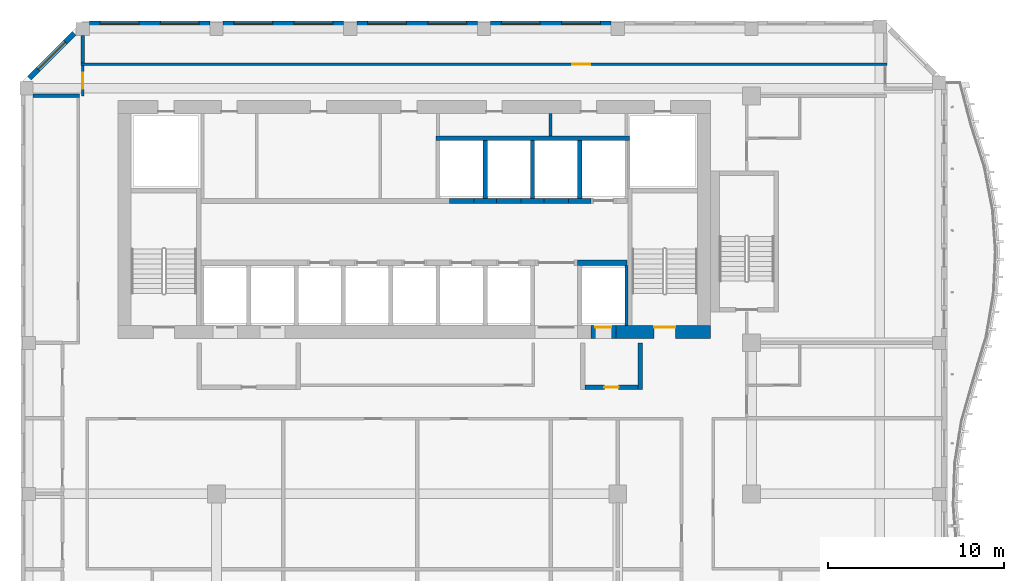
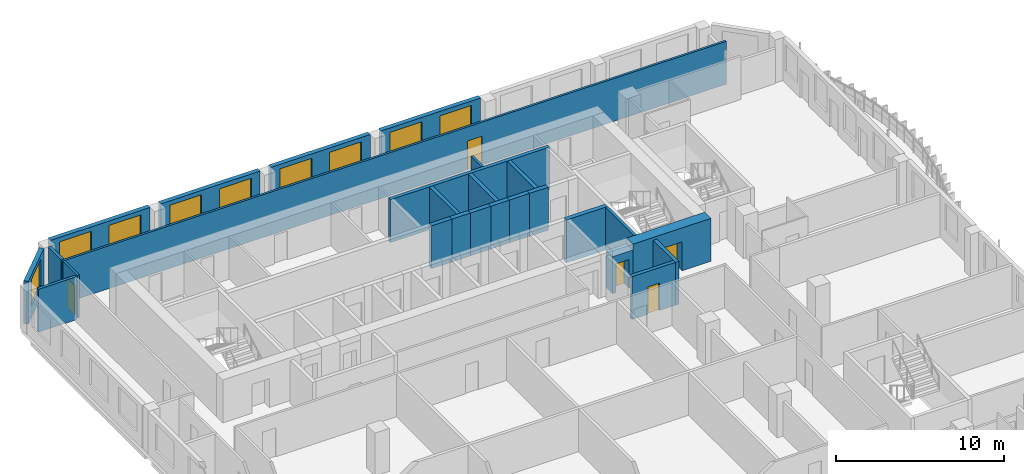
# One storey, part 8 of 21: 26 walls, 9 windows, 5 doors, 14 openings.
"""IFC4 building model written with IfcOpenShell, lengths in metres."""

from ifc_helpers import new_model, si_unit, direction, frame, frame_2d, origin, place, context, subcontext, project, spatial, rectangle, extrude, source, transform, mapped, material, layer, layer_set, type_object, element, fill, save


model = new_model("IFC4")

# Units and contexts
model_context = context("Model", 3, precision=1e-05, world=origin(), true_north=direction((0.0, 1.0)))
body_context = subcontext(model_context, "Body", "Model", "MODEL_VIEW")
ifc_project = project(units=[si_unit("LENGTHUNIT", "METRE"), si_unit("AREAUNIT", "SQUARE_METRE"), si_unit("VOLUMEUNIT", "CUBIC_METRE"), si_unit("PLANEANGLEUNIT", "RADIAN"), si_unit("MASSUNIT", "GRAM", prefix="KILO")], contexts=[model_context])

# Site, building, storey
site_placement = place(None, origin())
site = spatial("IfcSite", under=ifc_project, at=site_placement, CompositionType="ELEMENT")
building_placement = place(site_placement, origin())
building = spatial("IfcBuilding", under=site, at=building_placement, Name="Kilnfold Tower and Market Hall", CompositionType="ELEMENT")
storey_placement = place(building_placement, frame((0.0, 0.0, 216.89990234375)))
storey = spatial("IfcBuildingStorey", under=building, at=storey_placement, Name="L53", CompositionType="ELEMENT", Elevation=216.89990234375)

# Wall, opening, door
ifc_material_1 = material(Name="Gypsum board on steel studs", Category="steel")
ifc_layer_1 = layer(ifc_material_1, 0.14990234375)
ifc_layer_set_1 = layer_set([ifc_layer_1], Name="Gypsum board on steel studs")
wall_type_1 = type_object("IfcWallType", Name="WALL CORRIDOR 150", PredefinedType="PARTITIONING", material=ifc_layer_set_1)
wall_1_placement = place(storey_placement, frame((-17.75, 23.72509765625, 0.0), z_axis=(0.0, 0.0, 1.0), x_axis=(0.0, -1.0, 0.0)))
wall_1 = element("IfcWall", 1, at=wall_1_placement, inside=storey, type_object=wall_type_1, Name="Partition LY31.17", PredefinedType="PARTITIONING", context=body_context, shape_type="SweptSolid", body=[
    extrude(rectangle(XDim=1.72509765625, YDim=0.14990234375, at=frame_2d((0.862548828125, 0.0))), origin(), (0.0, 0.0, 1.0), 3.1201171875),
])
opening_1_placement = place(wall_1_placement, frame((0.4130859375, 0.0, 0.0)))
opening_1 = element("IfcOpeningElement", 2, at=opening_1_placement, cuts=wall_1, Name="Opening D2", PredefinedType="OPENING", context=body_context, shape_type="SweptSolid", body=[
    extrude(rectangle(XDim=0.89990234375, YDim=2.10009765625, at=frame_2d((0.449951171875, 1.050048828125))), frame((0.0, 0.0849609375, 0.0), z_axis=(0.0, -1.0, 0.0), x_axis=(1.0, 0.0, 0.0)), (0.0, 0.0, 1.0), 0.169921875),
])
ifc_material_2 = material(Name="Timber veneer door leaf in steel frame", Category="steel")
door_type_1 = type_object("IfcDoorType", Name="DOOR ROOM 900 X2100", OperationType="NOTDEFINED", PredefinedType="DOOR", material=ifc_material_2)
door_1_placement = place(opening_1_placement, origin())
door_1 = element("IfcDoor", 3, at=door_1_placement, inside=storey, type_object=door_type_1, Name="Door D2", OperationType="SINGLE_SWING_LEFT", OverallHeight=2.10009765625, OverallWidth=0.89990234375, PredefinedType="DOOR", context=body_context, shape_type="SweptSolid", body=[
    extrude(rectangle(XDim=0.89990234375, YDim=2.10009765625, at=frame_2d((0.449951171875, 1.050048828125))), frame((0.0, 0.02490234375, 0.0), z_axis=(0.0, -1.0, 0.0), x_axis=(1.0, 0.0, 0.0)), (0.0, 0.0, 1.0), 0.050048828125),
])
fill(opening_1, door_1)

wall_2_placement = place(storey_placement, frame((27.85009765625, 23.800048828125, 0.0), z_axis=(0.0, 0.0, 1.0), x_axis=(-1.0, 0.0, 0.0)))
wall_2 = element("IfcWall", 4, at=wall_2_placement, inside=storey, type_object=wall_type_1, Name="Partition LY31.31", PredefinedType="PARTITIONING", context=body_context, shape_type="SweptSolid", body=[
    extrude(rectangle(XDim=45.7001953125, YDim=0.14990234375, at=frame_2d((22.85009765625, 0.0))), origin(), (0.0, 0.0, 1.0), 3.1201171875),
])
opening_2_placement = place(wall_2_placement, frame((16.837890625, 0.0, 0.0)))
opening_2 = element("IfcOpeningElement", 5, at=opening_2_placement, cuts=wall_2, Name="Opening D4", PredefinedType="OPENING", context=body_context, shape_type="SweptSolid", body=[
    extrude(rectangle(XDim=1.0, YDim=2.10009765625, at=frame_2d((0.5, 1.050048828125))), frame((0.0, 0.0849609375, 0.0), z_axis=(0.0, -1.0, 0.0), x_axis=(1.0, 0.0, 0.0)), (0.0, 0.0, 1.0), 0.169921875),
])
ifc_material_3 = material(Name="Timber veneer door leaf in steel frame", Category="steel")
door_type_2 = type_object("IfcDoorType", Name="DOOR SERVICE 1000 X2100", OperationType="NOTDEFINED", PredefinedType="DOOR", material=ifc_material_3)
door_2_placement = place(opening_2_placement, origin())
door_2 = element("IfcDoor", 6, at=door_2_placement, inside=storey, type_object=door_type_2, Name="Door D4", OperationType="SINGLE_SWING_LEFT", OverallHeight=2.10009765625, OverallWidth=1.0, PredefinedType="DOOR", context=body_context, shape_type="SweptSolid", body=[
    extrude(rectangle(XDim=1.0, YDim=2.10009765625, at=frame_2d((0.5, 1.050048828125))), frame((0.0, 0.02490234375, 0.0), z_axis=(0.0, -1.0, 0.0), x_axis=(1.0, 0.0, 0.0)), (0.0, 0.0, 1.0), 0.050048828125),
])
fill(opening_2, door_2)

# Walls
ifc_material_4 = material(Name="Gypsum board on steel studs", Category="steel")
ifc_layer_2 = layer(ifc_material_4, 0.199951171875)
ifc_layer_set_2 = layer_set([ifc_layer_2], Name="Gypsum board on steel studs")
wall_type_2 = type_object("IfcWallType", Name="WALL PARTY 200", PredefinedType="PARTITIONING", material=ifc_layer_set_2)
wall_3_placement = place(storey_placement, frame((-17.927001953125, 22.0, 0.0), z_axis=(0.0, 0.0, 1.0), x_axis=(-1.0, 0.0, 0.0)))
element("IfcWall", 7, at=wall_3_placement, inside=storey, type_object=wall_type_2, Name="Partition LY31.78", PredefinedType="PARTITIONING", context=body_context, shape_type="SweptSolid", body=[
    extrude(rectangle(XDim=2.6298828125, YDim=0.199951171875, at=frame_2d((1.31494140625, 0.0))), origin(), (0.0, 0.0, 1.0), 3.1201171875),
])
wall_4_placement = place(storey_placement, frame((-17.75, 23.876953125, 0.0), z_axis=(0.0, 0.0, 1.0), x_axis=(0.0, 1.0, 0.0)))
element("IfcWall", 8, at=wall_4_placement, inside=storey, type_object=wall_type_2, Name="Partition LY31.84", PredefinedType="PARTITIONING", context=body_context, shape_type="SweptSolid", body=[
    extrude(rectangle(XDim=1.548095703125, YDim=0.199951171875, at=frame_2d((0.77392578125, 0.0))), origin(), (0.0, 0.0, 1.0), 3.1201171875),
])
ifc_material_5 = material(Name="Concrete C60", Category="concrete")
ifc_layer_3 = layer(ifc_material_5, 0.300048828125)
ifc_layer_set_3 = layer_set([ifc_layer_3], Name="Concrete C60")
wall_type_3 = type_object("IfcWallType", Name="CORE WALL 300 C60", PredefinedType="SHEAR", material=ifc_layer_set_3)
shared_shape_1 = source(origin(), body_context, "Body", "SweptSolid", [
    extrude(rectangle(XDim=1.280029296875, YDim=0.300048828125, at=frame_2d((0.64013671875, 0.0))), origin(), (0.0, 0.0, 1.0), 3.1201171875),
])
for number, where, z_axis, x_axis, name in (
    (9, (4.429931640625, 16.050048828125, 0.0), (0.0, 0.0, 1.0), (1.0, 0.0, 0.0), "Core spine wall"),
    (10, (9.7900390625, 16.050048828125, 0.0), (0.0, 0.0, 1.0), (1.0, 0.0, 0.0), "Core spine wall"),
):
    element("IfcWall", number, at=place(storey_placement, frame(where, z_axis=z_axis, x_axis=x_axis)), inside=storey, type_object=wall_type_3, Name=name, PredefinedType="SHEAR", context=body_context, shape_type="MappedRepresentation", body=[
        mapped(shared_shape_1, transform((0.0, 0.0, 0.0))),
    ])
shared_shape_2 = source(origin(), body_context, "Body", "SweptSolid", [
    extrude(rectangle(XDim=2.820068359375, YDim=0.300048828125, at=frame_2d((1.41015625, 0.0))), origin(), (0.0, 0.0, 1.0), 3.1201171875),
])
wall_5_placement = place(storey_placement, frame((10.2900390625, 12.550048828125, 0.0), z_axis=(0.0, 0.0, 1.0), x_axis=(1.0, 0.0, 0.0)))
element("IfcWall", 11, at=wall_5_placement, inside=storey, type_object=wall_type_3, Name="Core spine wall", PredefinedType="SHEAR", context=body_context, shape_type="MappedRepresentation", body=[
    mapped(shared_shape_2, transform((0.0, 0.0, 0.0))),
])
shared_shape_3 = source(origin(), body_context, "Body", "SweptSolid", [
    extrude(rectangle(XDim=1.27978515625, YDim=0.300048828125, at=frame_2d((0.639892578125, 0.0))), origin(), (0.0, 0.0, 1.0), 3.1201171875),
])
wall_6_placement = place(storey_placement, frame((7.110107421875, 16.050048828125, 0.0), z_axis=(0.0, 0.0, 1.0), x_axis=(1.0, 0.0, 0.0)))
element("IfcWall", 12, at=wall_6_placement, inside=storey, type_object=wall_type_3, Name="Core spine wall", PredefinedType="SHEAR", context=body_context, shape_type="MappedRepresentation", body=[
    mapped(shared_shape_3, transform((0.0, 0.0, 0.0))),
])

# Wall, opening, door
ifc_material_6 = material(Name="Concrete C60", Category="concrete")
ifc_layer_4 = layer(ifc_material_6, 0.75)
ifc_layer_set_4 = layer_set([ifc_layer_4], Name="Concrete C60")
wall_type_4 = type_object("IfcWallType", Name="CORE WALL 750 C60", PredefinedType="SHEAR", material=ifc_layer_set_4)
shared_shape_4 = source(origin(), body_context, "Body", "SweptSolid", [
    extrude(rectangle(XDim=5.380126953125, YDim=0.75, at=frame_2d((2.68994140625, 0.0))), origin(), (0.0, 0.0, 1.0), 3.1201171875),
])
wall_7_placement = place(storey_placement, frame((12.469970703125, 8.625, 0.0), z_axis=(0.0, 0.0, 1.0), x_axis=(1.0, 0.0, 0.0)))
wall_7 = element("IfcWall", 13, at=wall_7_placement, inside=storey, type_object=wall_type_4, Name="Core outer wall south", PredefinedType="SHEAR", context=body_context, shape_type="MappedRepresentation", body=[
    mapped(shared_shape_4, transform((0.0, 0.0, 0.0))),
])
opening_3_placement = place(wall_7_placement, frame((2.179931640625, 0.0, 0.0)))
opening_3 = element("IfcOpeningElement", 14, at=opening_3_placement, cuts=wall_7, Name="Opening SD1", PredefinedType="OPENING", context=body_context, shape_type="SweptSolid", body=[
    extrude(rectangle(XDim=1.199951171875, YDim=2.10009765625, at=frame_2d((0.60009765625, 1.050048828125))), frame((0.0, 0.385009765625, 0.0), z_axis=(0.0, -1.0, 0.0), x_axis=(1.0, 0.0, 0.0)), (0.0, 0.0, 1.0), 0.77001953125),
])
ifc_material_7 = material(Name="Steel door set with fire-resisting leaf", Category="steel")
door_type_3 = type_object("IfcDoorType", Name="STAIR FLOOR DOOR 1200X2100", OperationType="NOTDEFINED", PredefinedType="DOOR", material=ifc_material_7)
door_3_placement = place(opening_3_placement, origin())
door_3 = element("IfcDoor", 15, at=door_3_placement, inside=storey, type_object=door_type_3, Name="Exit stair ST2 door", OperationType="DOUBLE_DOOR_SINGLE_SWING", OverallHeight=2.10009765625, OverallWidth=1.199951171875, PredefinedType="DOOR", context=body_context, shape_type="SweptSolid", body=[
    extrude(rectangle(XDim=1.199951171875, YDim=2.10009765625, at=frame_2d((0.60009765625, 1.050048828125))), frame((0.0, 0.27978515625, 0.0), z_axis=(0.0, -1.0, 0.0), x_axis=(1.0, 0.0, 0.0)), (0.0, 0.0, 1.0), 0.050048828125),
])
fill(opening_3, door_3)

# Wall, openings, windows
ifc_material_8 = material(Name="Precast concrete C50/60", Category="concrete")
ifc_layer_5 = layer(ifc_material_8, 0.300048828125)
ifc_layer_set_5 = layer_set([ifc_layer_5], Name="Precast concrete C50/60")
wall_type_5 = type_object("IfcWallType", Name="PRECAST WALL 300", PredefinedType="SOLIDWALL", material=ifc_layer_set_5)
shared_shape_5 = source(origin(), body_context, "Body", "SweptSolid", [
    extrude(rectangle(XDim=6.833251953125, YDim=0.300048828125, at=frame_2d((3.41650390625, 0.0))), origin(), (0.0, 0.0, 1.0), 3.1201171875),
])
wall_8_placement = place(storey_placement, frame((12.208251953125, 26.10009765625, 0.0), z_axis=(0.0, 0.0, 1.0), x_axis=(-1.0, 0.0, 0.0)))
wall_8 = element("IfcWall", 16, at=wall_8_placement, inside=storey, type_object=wall_type_5, Name="External wall L53 N", PredefinedType="SOLIDWALL", context=body_context, shape_type="MappedRepresentation", body=[
    mapped(shared_shape_5, transform((0.0, 0.0, 0.0))),
])
opening_4_placement = place(wall_8_placement, frame((0.6083984375, 0.0, 0.85009765625)))
opening_4 = element("IfcOpeningElement", 17, at=opening_4_placement, cuts=wall_8, Name="Opening W2", PredefinedType="OPENING", context=body_context, shape_type="SweptSolid", body=[
    extrude(rectangle(XDim=2.199951171875, YDim=1.949951171875, at=frame_2d((1.10009765625, 0.97509765625))), frame((0.0, 0.16015625, 0.0), z_axis=(0.0, -1.0, 0.0), x_axis=(1.0, 0.0, 0.0)), (0.0, 0.0, 1.0), 0.320068359375),
])
opening_5_placement = place(wall_8_placement, frame((4.02490234375, 0.0, 0.85009765625)))
opening_5 = element("IfcOpeningElement", 18, at=opening_5_placement, cuts=wall_8, Name="Opening W2", PredefinedType="OPENING", context=body_context, shape_type="SweptSolid", body=[
    extrude(rectangle(XDim=2.199951171875, YDim=1.949951171875, at=frame_2d((1.10009765625, 0.97509765625))), frame((0.0, 0.16015625, 0.0), z_axis=(0.0, -1.0, 0.0), x_axis=(1.0, 0.0, 0.0)), (0.0, 0.0, 1.0), 0.320068359375),
])
ifc_material_9 = material(Name="Aluminium frame and double glazing", Category="aluminium")
window_type = type_object("IfcWindowType", Name="WINDOW W2 2200X1950", PartitioningType="SINGLE_PANEL", PredefinedType="WINDOW", material=ifc_material_9)
window_1_placement = place(opening_4_placement, origin())
window_1 = element("IfcWindow", 19, at=window_1_placement, inside=storey, type_object=window_type, Name="Window W2 L53 N-1", OverallHeight=1.949951171875, OverallWidth=2.199951171875, PartitioningType="SINGLE_PANEL", PredefinedType="WINDOW", context=body_context, shape_type="SweptSolid", body=[
    extrude(rectangle(XDim=2.199951171875, YDim=1.949951171875, at=frame_2d((1.10009765625, 0.97509765625))), frame((0.0, 0.030029296875, 0.0), z_axis=(0.0, -1.0, 0.0), x_axis=(1.0, 0.0, 0.0)), (0.0, 0.0, 1.0), 0.06005859375),
])
fill(opening_4, window_1)
window_2_placement = place(opening_5_placement, origin())
window_2 = element("IfcWindow", 20, at=window_2_placement, inside=storey, type_object=window_type, Name="Window W2 L53 N-2", OverallHeight=1.949951171875, OverallWidth=2.199951171875, PartitioningType="SINGLE_PANEL", PredefinedType="WINDOW", context=body_context, shape_type="SweptSolid", body=[
    extrude(rectangle(XDim=2.199951171875, YDim=1.949951171875, at=frame_2d((1.10009765625, 0.97509765625))), frame((0.0, 0.030029296875, 0.0), z_axis=(0.0, -1.0, 0.0), x_axis=(1.0, 0.0, 0.0)), (0.0, 0.0, 1.0), 0.06005859375),
])
fill(opening_5, window_2)

wall_9_placement = place(storey_placement, frame((4.625, 26.10009765625, 0.0), z_axis=(0.0, 0.0, 1.0), x_axis=(-1.0, 0.0, 0.0)))
wall_9 = element("IfcWall", 21, at=wall_9_placement, inside=storey, type_object=wall_type_5, Name="External wall L53 N", PredefinedType="SOLIDWALL", context=body_context, shape_type="MappedRepresentation", body=[
    mapped(shared_shape_5, transform((0.0, 0.0, 0.0))),
])
opening_6_placement = place(wall_9_placement, frame((0.6083984375, 0.0, 0.85009765625)))
opening_6 = element("IfcOpeningElement", 22, at=opening_6_placement, cuts=wall_9, Name="Opening W2", PredefinedType="OPENING", context=body_context, shape_type="SweptSolid", body=[
    extrude(rectangle(XDim=2.199951171875, YDim=1.949951171875, at=frame_2d((1.10009765625, 0.97509765625))), frame((0.0, 0.16015625, 0.0), z_axis=(0.0, -1.0, 0.0), x_axis=(1.0, 0.0, 0.0)), (0.0, 0.0, 1.0), 0.320068359375),
])
opening_7_placement = place(wall_9_placement, frame((4.02490234375, 0.0, 0.85009765625)))
opening_7 = element("IfcOpeningElement", 23, at=opening_7_placement, cuts=wall_9, Name="Opening W2", PredefinedType="OPENING", context=body_context, shape_type="SweptSolid", body=[
    extrude(rectangle(XDim=2.199951171875, YDim=1.949951171875, at=frame_2d((1.10009765625, 0.97509765625))), frame((0.0, 0.16015625, 0.0), z_axis=(0.0, -1.0, 0.0), x_axis=(1.0, 0.0, 0.0)), (0.0, 0.0, 1.0), 0.320068359375),
])
window_3_placement = place(opening_6_placement, origin())
window_3 = element("IfcWindow", 24, at=window_3_placement, inside=storey, type_object=window_type, Name="Window W2 L53 N-1", OverallHeight=1.949951171875, OverallWidth=2.199951171875, PartitioningType="SINGLE_PANEL", PredefinedType="WINDOW", context=body_context, shape_type="SweptSolid", body=[
    extrude(rectangle(XDim=2.199951171875, YDim=1.949951171875, at=frame_2d((1.10009765625, 0.97509765625))), frame((0.0, 0.030029296875, 0.0), z_axis=(0.0, -1.0, 0.0), x_axis=(1.0, 0.0, 0.0)), (0.0, 0.0, 1.0), 0.06005859375),
])
fill(opening_6, window_3)
window_4_placement = place(opening_7_placement, origin())
window_4 = element("IfcWindow", 25, at=window_4_placement, inside=storey, type_object=window_type, Name="Window W2 L53 N-2", OverallHeight=1.949951171875, OverallWidth=2.199951171875, PartitioningType="SINGLE_PANEL", PredefinedType="WINDOW", context=body_context, shape_type="SweptSolid", body=[
    extrude(rectangle(XDim=2.199951171875, YDim=1.949951171875, at=frame_2d((1.10009765625, 0.97509765625))), frame((0.0, 0.030029296875, 0.0), z_axis=(0.0, -1.0, 0.0), x_axis=(1.0, 0.0, 0.0)), (0.0, 0.0, 1.0), 0.06005859375),
])
fill(opening_7, window_4)

wall_10_placement = place(storey_placement, frame((-10.541748046875, 26.10009765625, 0.0), z_axis=(0.0, 0.0, 1.0), x_axis=(-1.0, 0.0, 0.0)))
wall_10 = element("IfcWall", 26, at=wall_10_placement, inside=storey, type_object=wall_type_5, Name="External wall L53 N", PredefinedType="SOLIDWALL", context=body_context, shape_type="MappedRepresentation", body=[
    mapped(shared_shape_5, transform((0.0, 0.0, 0.0))),
])
opening_8_placement = place(wall_10_placement, frame((0.6083984375, 0.0, 0.85009765625)))
opening_8 = element("IfcOpeningElement", 27, at=opening_8_placement, cuts=wall_10, Name="Opening W2", PredefinedType="OPENING", context=body_context, shape_type="SweptSolid", body=[
    extrude(rectangle(XDim=2.199951171875, YDim=1.949951171875, at=frame_2d((1.10009765625, 0.97509765625))), frame((0.0, 0.16015625, 0.0), z_axis=(0.0, -1.0, 0.0), x_axis=(1.0, 0.0, 0.0)), (0.0, 0.0, 1.0), 0.320068359375),
])
opening_9_placement = place(wall_10_placement, frame((4.02490234375, 0.0, 0.85009765625)))
opening_9 = element("IfcOpeningElement", 28, at=opening_9_placement, cuts=wall_10, Name="Opening W2", PredefinedType="OPENING", context=body_context, shape_type="SweptSolid", body=[
    extrude(rectangle(XDim=2.199951171875, YDim=1.949951171875, at=frame_2d((1.10009765625, 0.97509765625))), frame((0.0, 0.16015625, 0.0), z_axis=(0.0, -1.0, 0.0), x_axis=(1.0, 0.0, 0.0)), (0.0, 0.0, 1.0), 0.320068359375),
])
window_5_placement = place(opening_8_placement, origin())
window_5 = element("IfcWindow", 29, at=window_5_placement, inside=storey, type_object=window_type, Name="Window W2 L53 N-1", OverallHeight=1.949951171875, OverallWidth=2.199951171875, PartitioningType="SINGLE_PANEL", PredefinedType="WINDOW", context=body_context, shape_type="SweptSolid", body=[
    extrude(rectangle(XDim=2.199951171875, YDim=1.949951171875, at=frame_2d((1.10009765625, 0.97509765625))), frame((0.0, 0.030029296875, 0.0), z_axis=(0.0, -1.0, 0.0), x_axis=(1.0, 0.0, 0.0)), (0.0, 0.0, 1.0), 0.06005859375),
])
fill(opening_8, window_5)
window_6_placement = place(opening_9_placement, origin())
window_6 = element("IfcWindow", 30, at=window_6_placement, inside=storey, type_object=window_type, Name="Window W2 L53 N-2", OverallHeight=1.949951171875, OverallWidth=2.199951171875, PartitioningType="SINGLE_PANEL", PredefinedType="WINDOW", context=body_context, shape_type="SweptSolid", body=[
    extrude(rectangle(XDim=2.199951171875, YDim=1.949951171875, at=frame_2d((1.10009765625, 0.97509765625))), frame((0.0, 0.030029296875, 0.0), z_axis=(0.0, -1.0, 0.0), x_axis=(1.0, 0.0, 0.0)), (0.0, 0.0, 1.0), 0.06005859375),
])
fill(opening_9, window_6)

shared_shape_6 = source(origin(), body_context, "Body", "SweptSolid", [
    extrude(rectangle(XDim=6.83349609375, YDim=0.300048828125, at=frame_2d((3.416748046875, 0.0))), origin(), (0.0, 0.0, 1.0), 3.1201171875),
])
wall_11_placement = place(storey_placement, frame((-2.958251953125, 26.10009765625, 0.0), z_axis=(0.0, 0.0, 1.0), x_axis=(-1.0, 0.0, 0.0)))
wall_11 = element("IfcWall", 31, at=wall_11_placement, inside=storey, type_object=wall_type_5, Name="External wall L53 N", PredefinedType="SOLIDWALL", context=body_context, shape_type="MappedRepresentation", body=[
    mapped(shared_shape_6, transform((0.0, 0.0, 0.0))),
])
opening_10_placement = place(wall_11_placement, frame((0.6083984375, 0.0, 0.85009765625)))
opening_10 = element("IfcOpeningElement", 32, at=opening_10_placement, cuts=wall_11, Name="Opening W2", PredefinedType="OPENING", context=body_context, shape_type="SweptSolid", body=[
    extrude(rectangle(XDim=2.199951171875, YDim=1.949951171875, at=frame_2d((1.10009765625, 0.97509765625))), frame((0.0, 0.16015625, 0.0), z_axis=(0.0, -1.0, 0.0), x_axis=(1.0, 0.0, 0.0)), (0.0, 0.0, 1.0), 0.320068359375),
])
opening_11_placement = place(wall_11_placement, frame((4.02490234375, 0.0, 0.85009765625)))
opening_11 = element("IfcOpeningElement", 33, at=opening_11_placement, cuts=wall_11, Name="Opening W2", PredefinedType="OPENING", context=body_context, shape_type="SweptSolid", body=[
    extrude(rectangle(XDim=2.199951171875, YDim=1.949951171875, at=frame_2d((1.10009765625, 0.97509765625))), frame((0.0, 0.16015625, 0.0), z_axis=(0.0, -1.0, 0.0), x_axis=(1.0, 0.0, 0.0)), (0.0, 0.0, 1.0), 0.320068359375),
])
window_7_placement = place(opening_10_placement, origin())
window_7 = element("IfcWindow", 34, at=window_7_placement, inside=storey, type_object=window_type, Name="Window W2 L53 N-1", OverallHeight=1.949951171875, OverallWidth=2.199951171875, PartitioningType="SINGLE_PANEL", PredefinedType="WINDOW", context=body_context, shape_type="SweptSolid", body=[
    extrude(rectangle(XDim=2.199951171875, YDim=1.949951171875, at=frame_2d((1.10009765625, 0.97509765625))), frame((0.0, 0.030029296875, 0.0), z_axis=(0.0, -1.0, 0.0), x_axis=(1.0, 0.0, 0.0)), (0.0, 0.0, 1.0), 0.06005859375),
])
fill(opening_10, window_7)
window_8_placement = place(opening_11_placement, origin())
window_8 = element("IfcWindow", 35, at=window_8_placement, inside=storey, type_object=window_type, Name="Window W2 L53 N-2", OverallHeight=1.949951171875, OverallWidth=2.199951171875, PartitioningType="SINGLE_PANEL", PredefinedType="WINDOW", context=body_context, shape_type="SweptSolid", body=[
    extrude(rectangle(XDim=2.199951171875, YDim=1.949951171875, at=frame_2d((1.10009765625, 0.97509765625))), frame((0.0, 0.030029296875, 0.0), z_axis=(0.0, -1.0, 0.0), x_axis=(1.0, 0.0, 0.0)), (0.0, 0.0, 1.0), 0.06005859375),
])
fill(opening_11, window_8)

# Wall, opening, window
shared_shape_7 = source(origin(), body_context, "Body", "SweptSolid", [
    extrude(rectangle(XDim=3.571044921875, YDim=0.300048828125, at=frame_2d((1.78564453125, 0.0))), origin(), (0.0, 0.0, 1.0), 3.1201171875),
])
wall_12_placement = place(storey_placement, frame((-18.243896484375, 25.5439453125, 0.0), z_axis=(0.0, 0.0, 1.0), x_axis=(-0.707072595841, -0.707140964879, 0.0)))
wall_12 = element("IfcWall", 36, at=wall_12_placement, inside=storey, type_object=wall_type_5, Name="External wall L53 NW", PredefinedType="SOLIDWALL", context=body_context, shape_type="MappedRepresentation", body=[
    mapped(shared_shape_7, transform((0.0, 0.0, 0.0))),
])
opening_12_placement = place(wall_12_placement, frame((0.685546875, 0.0, 0.85009765625)))
opening_12 = element("IfcOpeningElement", 37, at=opening_12_placement, cuts=wall_12, Name="Opening W2", PredefinedType="OPENING", context=body_context, shape_type="SweptSolid", body=[
    extrude(rectangle(XDim=2.199951171875, YDim=1.949951171875, at=frame_2d((1.10009765625, 0.97509765625))), frame((0.0, 0.16015625, 0.0), z_axis=(0.0, -1.0, 0.0), x_axis=(1.0, 0.0, 0.0)), (0.0, 0.0, 1.0), 0.320068359375),
])
window_9_placement = place(opening_12_placement, origin())
window_9 = element("IfcWindow", 38, at=window_9_placement, inside=storey, type_object=window_type, Name="Window W2 L53 NW-1", OverallHeight=1.949951171875, OverallWidth=2.199951171875, PartitioningType="SINGLE_PANEL", PredefinedType="WINDOW", context=body_context, shape_type="SweptSolid", body=[
    extrude(rectangle(XDim=2.199951171875, YDim=1.949951171875, at=frame_2d((1.10009765625, 0.97509765625))), frame((0.0, 0.030029296875, 0.0), z_axis=(0.0, -1.0, 0.0), x_axis=(1.0, 0.0, 0.0)), (0.0, 0.0, 1.0), 0.06005859375),
])
fill(opening_12, window_9)

# Walls
ifc_material_10 = material(Name="Gypsum shaft wall system")
ifc_layer_6 = layer(ifc_material_10, 0.300048828125)
ifc_layer_set_6 = layer_set([ifc_layer_6], Name="Gypsum shaft wall system")
wall_type_6 = type_object("IfcWallType", Name="SHAFT WALL 300", PredefinedType="PARTITIONING", material=ifc_layer_set_6)
shared_shape_8 = source(origin(), body_context, "Body", "SweptSolid", [
    extrude(rectangle(XDim=1.39990234375, YDim=0.300048828125, at=frame_2d((0.699951171875, 0.0))), origin(), (0.0, 0.0, 1.0), 3.1201171875),
])
wall_13_placement = place(storey_placement, frame((3.030029296875, 16.050048828125, 0.0), z_axis=(0.0, 0.0, 1.0), x_axis=(1.0, 0.0, 0.0)))
element("IfcWall", 39, at=wall_13_placement, inside=storey, type_object=wall_type_6, Name="Lift shaft front wall", PredefinedType="PARTITIONING", context=body_context, shape_type="MappedRepresentation", body=[
    mapped(shared_shape_8, transform((0.0, 0.0, 0.0))),
])
shared_shape_9 = source(origin(), body_context, "Body", "SweptSolid", [
    extrude(rectangle(XDim=1.400146484375, YDim=0.300048828125, at=frame_2d((0.7001953125, 0.0))), origin(), (0.0, 0.0, 1.0), 3.1201171875),
])
for number, where, z_axis, x_axis, name in (
    (40, (5.7099609375, 16.050048828125, 0.0), (0.0, 0.0, 1.0), (1.0, 0.0, 0.0), "Lift shaft front wall"),
    (41, (8.389892578125, 16.050048828125, 0.0), (0.0, 0.0, 1.0), (1.0, 0.0, 0.0), "Lift shaft front wall"),
):
    element("IfcWall", number, at=place(storey_placement, frame(where, z_axis=z_axis, x_axis=x_axis)), inside=storey, type_object=wall_type_6, Name=name, PredefinedType="PARTITIONING", context=body_context, shape_type="MappedRepresentation", body=[
        mapped(shared_shape_9, transform((0.0, 0.0, 0.0))),
    ])
ifc_material_11 = material(Name="Gypsum shaft wall system")
ifc_layer_7 = layer(ifc_material_11, 0.25)
ifc_layer_set_7 = layer_set([ifc_layer_7], Name="Gypsum shaft wall system")
wall_type_7 = type_object("IfcWallType", Name="LOBBY WALL 250", PredefinedType="PARTITIONING", material=ifc_layer_set_7)
shared_shape_10 = source(origin(), body_context, "Body", "SweptSolid", [
    extrude(rectangle(XDim=2.64990234375, YDim=0.25, at=frame_2d((1.324951171875, 0.0))), origin(), (0.0, 0.0, 1.0), 3.1201171875),
])
wall_14_placement = place(storey_placement, frame((13.85498046875, 5.35009765625, 0.0), z_axis=(0.0, 0.0, 1.0), x_axis=(0.0, 1.0, 0.0)))
element("IfcWall", 42, at=wall_14_placement, inside=storey, type_object=wall_type_7, Name="Firefighting lobby wall", PredefinedType="PARTITIONING", context=body_context, shape_type="MappedRepresentation", body=[
    mapped(shared_shape_10, transform((0.0, 0.0, 0.0))),
])

# Wall, opening, door
shared_shape_11 = source(origin(), body_context, "Body", "SweptSolid", [
    extrude(rectangle(XDim=3.0, YDim=0.25, at=frame_2d((1.5, 0.0))), origin(), (0.0, 0.0, 1.0), 3.1201171875),
])
wall_15_placement = place(storey_placement, frame((10.72998046875, 5.47509765625, 0.0), z_axis=(0.0, 0.0, 1.0), x_axis=(1.0, 0.0, 0.0)))
wall_15 = element("IfcWall", 43, at=wall_15_placement, inside=storey, type_object=wall_type_7, Name="Firefighting lobby wall", PredefinedType="PARTITIONING", context=body_context, shape_type="MappedRepresentation", body=[
    mapped(shared_shape_11, transform((0.0, 0.0, 0.0))),
])
opening_13_placement = place(wall_15_placement, frame((1.10009765625, 0.0, 0.0)))
opening_13 = element("IfcOpeningElement", 44, at=opening_13_placement, cuts=wall_15, Name="Opening VD1", PredefinedType="OPENING", context=body_context, shape_type="SweptSolid", body=[
    extrude(rectangle(XDim=0.800048828125, YDim=2.0, at=frame_2d((0.39990234375, 1.0))), frame((0.0, 0.135009765625, 0.0), z_axis=(0.0, -1.0, 0.0), x_axis=(1.0, 0.0, 0.0)), (0.0, 0.0, 1.0), 0.27001953125),
])
ifc_material_12 = material(Name="Steel door set with fire-resisting leaf", Category="steel")
door_type_4 = type_object("IfcDoorType", Name="FIREFIGHTING LOBBY DOOR 800X2000", OperationType="NOTDEFINED", PredefinedType="DOOR", material=ifc_material_12)
door_4_placement = place(opening_13_placement, origin())
door_4 = element("IfcDoor", 45, at=door_4_placement, inside=storey, type_object=door_type_4, Name="Firefighting lobby door", OperationType="SINGLE_SWING_RIGHT", OverallHeight=2.0, OverallWidth=0.800048828125, PredefinedType="DOOR", context=body_context, shape_type="SweptSolid", body=[
    extrude(rectangle(XDim=0.800048828125, YDim=2.0, at=frame_2d((0.39990234375, 1.0))), frame((0.0, 0.02490234375, 0.0), z_axis=(0.0, -1.0, 0.0), x_axis=(1.0, 0.0, 0.0)), (0.0, 0.0, 1.0), 0.050048828125),
])
fill(opening_13, door_4)

# Walls
ifc_material_13 = material(Name="Gypsum shaft wall system")
ifc_layer_8 = layer(ifc_material_13, 0.25)
ifc_layer_set_8 = layer_set([ifc_layer_8], Name="Gypsum shaft wall system")
wall_type_8 = type_object("IfcWallType", Name="SHAFT WALL 250", PredefinedType="PARTITIONING", material=ifc_layer_set_8)
shared_shape_12 = source(origin(), body_context, "Body", "SweptSolid", [
    extrude(rectangle(XDim=3.275146484375, YDim=0.25, at=frame_2d((1.6376953125, 0.0))), origin(), (0.0, 0.0, 1.0), 3.1201171875),
])
for number, where, z_axis, x_axis, name in (
    (46, (10.429931640625, 16.199951171875, 0.0), (0.0, 0.0, 1.0), (0.0, 1.0, 0.0), "Lift shaft wall"),
    (47, (5.070068359375, 16.199951171875, 0.0), (0.0, 0.0, 1.0), (0.0, 1.0, 0.0), "Lift shaft wall"),
    (48, (7.75, 16.199951171875, 0.0), (0.0, 0.0, 1.0), (0.0, 1.0, 0.0), "Lift shaft wall"),
):
    element("IfcWall", number, at=place(storey_placement, frame(where, z_axis=z_axis, x_axis=x_axis)), inside=storey, type_object=wall_type_8, Name=name, PredefinedType="PARTITIONING", context=body_context, shape_type="MappedRepresentation", body=[
        mapped(shared_shape_12, transform((0.0, 0.0, 0.0))),
    ])
ifc_material_14 = material(Name="Gypsum shaft wall system")
ifc_layer_9 = layer(ifc_material_14, 0.1650390625)
ifc_layer_set_9 = layer_set([ifc_layer_9], Name="Gypsum shaft wall system")
wall_type_9 = type_object("IfcWallType", Name="SHAFT WALL 165", PredefinedType="PARTITIONING", material=ifc_layer_set_9)
shared_shape_13 = source(origin(), body_context, "Body", "SweptSolid", [
    extrude(rectangle(XDim=3.39990234375, YDim=0.1650390625, at=frame_2d((1.699951171875, 0.0))), origin(), (0.0, 0.0, 1.0), 3.1201171875),
])
wall_16_placement = place(storey_placement, frame((13.0673828125, 9.0, 0.0), z_axis=(0.0, 0.0, 1.0), x_axis=(0.0, 1.0, 0.0)))
element("IfcWall", 49, at=wall_16_placement, inside=storey, type_object=wall_type_9, Name="Lift shaft wall", PredefinedType="PARTITIONING", context=body_context, shape_type="MappedRepresentation", body=[
    mapped(shared_shape_13, transform((0.0, 0.0, 0.0))),
])
ifc_material_15 = material(Name="Gypsum shaft wall system")
ifc_layer_10 = layer(ifc_material_15, 0.14990234375)
ifc_layer_set_10 = layer_set([ifc_layer_10], Name="Gypsum shaft wall system")
wall_type_10 = type_object("IfcWallType", Name="ROOM WALL 150", PredefinedType="PARTITIONING", material=ifc_layer_set_10)
shared_shape_14 = source(origin(), body_context, "Body", "SweptSolid", [
    extrude(rectangle(XDim=1.27490234375, YDim=0.14990234375, at=frame_2d((0.637451171875, 0.0))), origin(), (0.0, 0.0, 1.0), 3.1201171875),
])
wall_17_placement = place(storey_placement, frame((8.768310546875, 19.72509765625, 0.0), z_axis=(0.0, 0.0, 1.0), x_axis=(0.0, 1.0, 0.0)))
element("IfcWall", 50, at=wall_17_placement, inside=storey, type_object=wall_type_10, Name="Core room wall", PredefinedType="PARTITIONING", context=body_context, shape_type="MappedRepresentation", body=[
    mapped(shared_shape_14, transform((0.0, 0.0, 0.0))),
])
shared_shape_15 = source(origin(), body_context, "Body", "SweptSolid", [
    extrude(rectangle(XDim=10.97021484375, YDim=0.25, at=frame_2d((5.485107421875, 0.0))), origin(), (0.0, 0.0, 1.0), 3.1201171875),
])
wall_18_placement = place(storey_placement, frame((2.264892578125, 19.60009765625, 0.0), z_axis=(0.0, 0.0, 1.0), x_axis=(1.0, 0.0, 0.0)))
element("IfcWall", 51, at=wall_18_placement, inside=storey, type_object=wall_type_8, Name="Lift shaft wall", PredefinedType="PARTITIONING", context=body_context, shape_type="MappedRepresentation", body=[
    mapped(shared_shape_15, transform((0.0, 0.0, 0.0))),
])

# Wall, opening, door
ifc_material_16 = material(Name="Gypsum shaft wall system")
ifc_layer_11 = layer(ifc_material_16, 0.75)
ifc_layer_set_11 = layer_set([ifc_layer_11], Name="Gypsum shaft wall system")
wall_type_11 = type_object("IfcWallType", Name="LOBBY WALL 750", PredefinedType="PARTITIONING", material=ifc_layer_set_11)
shared_shape_16 = source(origin(), body_context, "Body", "SweptSolid", [
    extrude(rectangle(XDim=1.39990234375, YDim=0.75, at=frame_2d((0.699951171875, 0.0))), origin(), (0.0, 0.0, 1.0), 2.7001953125),
])
wall_19_placement = place(storey_placement, frame((11.070068359375, 8.625, 0.0), z_axis=(0.0, 0.0, 1.0), x_axis=(1.0, 0.0, 0.0)))
wall_19 = element("IfcWall", 52, at=wall_19_placement, inside=storey, type_object=wall_type_11, Name="Core wall infill", PredefinedType="PARTITIONING", context=body_context, shape_type="MappedRepresentation", body=[
    mapped(shared_shape_16, transform((0.0, 0.0, 0.0))),
])
opening_14_placement = place(wall_19_placement, frame((0.25, 0.0, 0.0)))
opening_14 = element("IfcOpeningElement", 53, at=opening_14_placement, cuts=wall_19, Name="Opening LD1", PredefinedType="OPENING", context=body_context, shape_type="SweptSolid", body=[
    extrude(rectangle(XDim=0.89990234375, YDim=2.10009765625, at=frame_2d((0.449951171875, 1.050048828125))), frame((0.0, 0.385009765625, 0.0), z_axis=(0.0, -1.0, 0.0), x_axis=(1.0, 0.0, 0.0)), (0.0, 0.0, 1.0), 0.77001953125),
])
ifc_material_17 = material(Name="Steel door set with fire-resisting leaf", Category="steel")
door_type_5 = type_object("IfcDoorType", Name="FIREFIGHTING LANDING DOOR 900X2100", OperationType="NOTDEFINED", PredefinedType="DOOR", material=ifc_material_17)
door_5_placement = place(opening_14_placement, origin())
door_5 = element("IfcDoor", 54, at=door_5_placement, inside=storey, type_object=door_type_5, Name="Landing door FF3", OperationType="SLIDING_TO_LEFT", OverallHeight=2.10009765625, OverallWidth=0.89990234375, PredefinedType="DOOR", context=body_context, shape_type="SweptSolid", body=[
    extrude(rectangle(XDim=0.89990234375, YDim=2.10009765625, at=frame_2d((0.449951171875, 1.050048828125))), frame((0.0, 0.27978515625, 0.0), z_axis=(0.0, -1.0, 0.0), x_axis=(1.0, 0.0, 0.0)), (0.0, 0.0, 1.0), 0.050048828125),
])
fill(opening_14, door_5)

save(model, "model.ifc")
